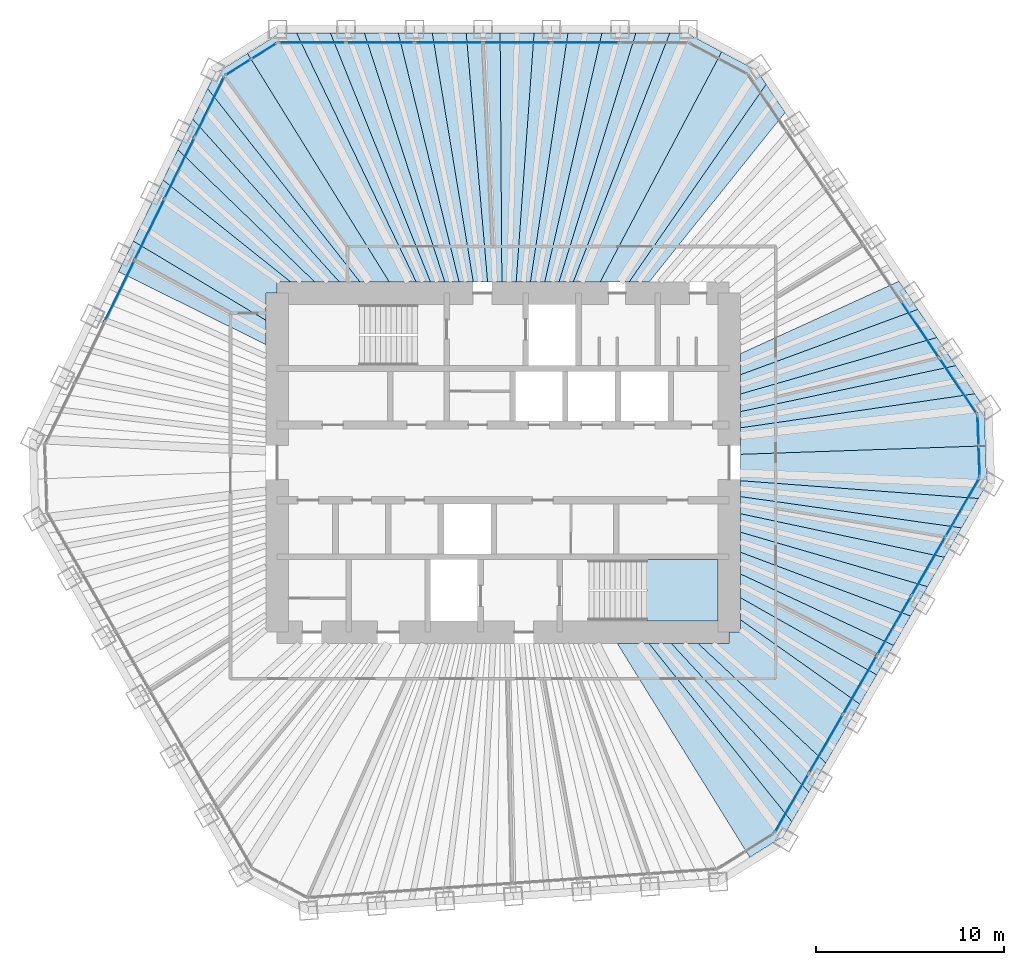
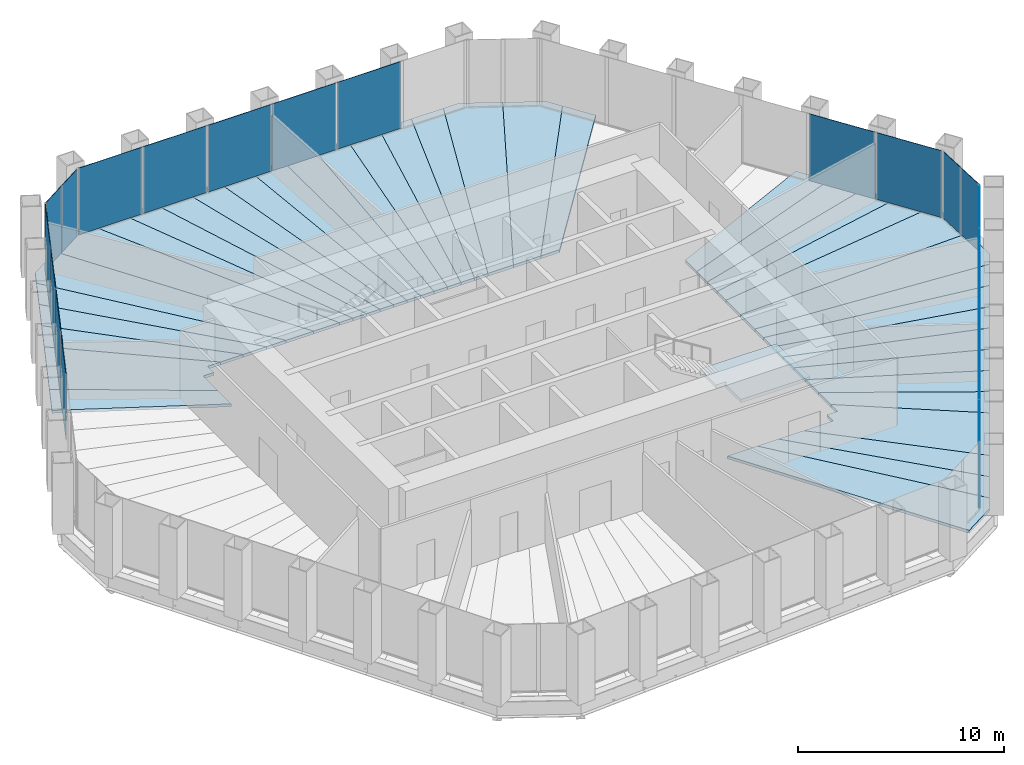
# One storey, part 9 of 13: 39 slabs, 21 plates, 7 elements without a shape of their own.
"""IFC4 building model written with IfcOpenShell, lengths in metres."""

import ifcopenshell
import ifcopenshell.guid

model = None  # the IFC model being written
_history = None  # IfcOwnerHistory: only IFC2X3 demands one
_inside = {}  # id of a spatial element -> (the spatial element, [elements in it])
_under = {}  # id of a project, library or spatial element -> (it, [spatial elements below it])
_declared = {}  # id of a project -> (the project, [libraries it declares])
_typed = {}  # id of a type object -> (the type object, [elements of that type])
_made_of = {}  # id of a material, layer set ... -> (it, [elements and type objects made of it])


def new_model(schema):
    """Start an empty IFC model of exactly this schema.

    Asked for "IFC4X3", IfcOpenShell would pick the latest addendum, in which some entities
    have other attributes; the version numbers below select the first issue.
    IFC2X3 requires an IfcOwnerHistory on every rooted entity: one is made here for all.
    """
    global model, _history
    if schema == "IFC4X3":
        model = ifcopenshell.file(schema_version=(4, 3, 0, 0))
    else:
        model = ifcopenshell.file(schema=schema)
    _inside.clear()
    _under.clear()
    _declared.clear()
    _typed.clear()
    _made_of.clear()
    _history = None
    if model.schema == "IFC2X3":
        org = make("IfcOrganization", Name="unknown")
        user = make(
            "IfcPersonAndOrganization",
            ThePerson=make("IfcPerson", FamilyName="unknown"),
            TheOrganization=org,
        )
        app = make(
            "IfcApplication",
            ApplicationDeveloper=org,
            Version="unknown",
            ApplicationFullName="unknown",
            ApplicationIdentifier="unknown",
        )
        _history = make(
            "IfcOwnerHistory",
            OwningUser=user,
            OwningApplication=app,
            ChangeAction="ADDED",
            CreationDate=0,
        )
    return model


def make(cls, **values):
    """One entity of the class cls with the attributes given. An attribute that is None is left unset."""
    return model.create_entity(
        cls, **{name: value for name, value in values.items() if value is not None}
    )


def rooted(cls, **values):
    """An entity with a GlobalId (a new one), such as an element, a storey or a relation."""
    return make(cls, GlobalId=ifcopenshell.guid.new(), OwnerHistory=_history, **values)


def si_unit(unit_type, name, prefix=None):
    """IfcSIUnit, for example si_unit("LENGTHUNIT", "METRE", prefix="MILLI")."""
    return make("IfcSIUnit", UnitType=unit_type, Prefix=prefix, Name=name)


def assignment(units):
    """IfcUnitAssignment: the units of a project."""
    return None if units is None else make("IfcUnitAssignment", Units=units)


def point(xyz):
    """IfcCartesianPoint."""
    return None if xyz is None else make("IfcCartesianPoint", Coordinates=xyz)


def direction(xyz):
    """IfcDirection."""
    return None if xyz is None else make("IfcDirection", DirectionRatios=xyz)


def frame(location, z_axis=None, x_axis=None):
    """IfcAxis2Placement3D, a coordinate frame: its origin and axes. An axis left out is left unset."""
    return make(
        "IfcAxis2Placement3D",
        Location=point(location),
        Axis=direction(z_axis),
        RefDirection=direction(x_axis),
    )


def frame_2d(location, x_axis=None):
    """IfcAxis2Placement2D, a coordinate frame in the plane: its origin and x axis."""
    return make(
        "IfcAxis2Placement2D", Location=point(location), RefDirection=direction(x_axis)
    )


def origin():
    """The frame at (0, 0, 0) with its axes left unset."""
    return frame((0.0, 0.0, 0.0))


def origin_2d():
    """The frame at (0, 0) in the plane with its x axis left unset."""
    return frame_2d((0.0, 0.0))


def place(relative_to, where):
    """IfcLocalPlacement: puts the frame where relative to a parent placement (None: the world)."""
    return make(
        "IfcLocalPlacement", PlacementRelTo=relative_to, RelativePlacement=where
    )


def context(
    kind, dimensions, precision=None, world=None, true_north=None, identifier=None
):
    """IfcGeometricRepresentationContext, for example the 3D "Model" context."""
    return make(
        "IfcGeometricRepresentationContext",
        ContextIdentifier=identifier,
        ContextType=kind,
        CoordinateSpaceDimension=dimensions,
        Precision=precision,
        WorldCoordinateSystem=world,
        TrueNorth=true_north,
    )


def subcontext(parent, identifier, kind, view, scale=None):
    """IfcGeometricRepresentationSubContext, for example "Body" below "Model"."""
    return make(
        "IfcGeometricRepresentationSubContext",
        ContextIdentifier=identifier,
        ContextType=kind,
        ParentContext=parent,
        TargetScale=scale,
        TargetView=view,
    )


def project(units=None, contexts=None):
    """IfcProject with its units and contexts."""
    return rooted(
        "IfcProject",
        Name="project",
        RepresentationContexts=contexts,
        UnitsInContext=assignment(units),
    )


def spatial(cls, under=None, at=None, **own):
    """A site, building, storey or space (cls), placed at a placement, below another one or the project."""
    s = rooted(cls, ObjectPlacement=at, **own)
    if under is not None:
        _under.setdefault(under.id(), (under, []))[1].append(s)
    return s


def polyline(points):
    """IfcPolyline through the points."""
    return make("IfcPolyline", Points=[point(p) for p in points])


def profile(cls, at=None, kind="AREA", **sizes):
    """A parametric profile (cls). Its sizes go by their IFC names, for example OverallWidth=200.0."""
    return make(cls, ProfileType=kind, Position=at, **sizes)


def rectangle(**sizes):
    """IfcRectangleProfileDef."""
    return profile("IfcRectangleProfileDef", **sizes)


def outline(outer, holes=None, kind="AREA"):
    """IfcArbitraryClosedProfileDef: a profile drawn as a closed curve; with holes, ...WithVoids."""
    if holes is None:
        return make("IfcArbitraryClosedProfileDef", ProfileType=kind, OuterCurve=outer)
    return make(
        "IfcArbitraryProfileDefWithVoids",
        ProfileType=kind,
        OuterCurve=outer,
        InnerCurves=holes,
    )


def extrude(swept, where, along, depth):
    """IfcExtrudedAreaSolid: the profile swept, set in the frame where, extruded along a direction by depth."""
    return make(
        "IfcExtrudedAreaSolid",
        SweptArea=swept,
        Position=where,
        ExtrudedDirection=direction(along),
        Depth=depth,
    )


def shape(context_of_items, identifier, shape_type, items):
    """IfcShapeRepresentation: the items that make up one representation, for example the "Body"."""
    return make(
        "IfcShapeRepresentation",
        ContextOfItems=context_of_items,
        RepresentationIdentifier=identifier,
        RepresentationType=shape_type,
        Items=items,
    )


def material(Name=None, Category=None):
    """IfcMaterial."""
    return make("IfcMaterial", Name=Name, Category=Category)


def layer(
    of_material, thickness, ventilated=None, Name=None, Category=None, Priority=None
):
    """IfcMaterialLayer: one layer of a wall or slab, of a material (None: an air gap)."""
    return make(
        "IfcMaterialLayer",
        Material=of_material,
        LayerThickness=thickness,
        IsVentilated=ventilated,
        Name=Name,
        Category=Category,
        Priority=Priority,
    )


def layer_set(layers, Name=None):
    """IfcMaterialLayerSet."""
    return make("IfcMaterialLayerSet", MaterialLayers=layers, LayerSetName=Name)


def made_of(thing, what):
    """Note that an element or type object is made of a material, layer set ...; save() writes the relation."""
    if what is not None:
        _made_of.setdefault(what.id(), (what, []))[1].append(thing)
    return thing


def type_object(cls, material=None, **own):
    """A type object (cls), such as IfcWallType, which elements share."""
    return made_of(rooted(cls, **own), material)


def element(
    cls,
    number,
    at=None,
    inside=None,
    cuts=None,
    type_object=None,
    material=None,
    context=None,
    identifier="Body",
    shape_type=None,
    held_by="IfcProductDefinitionShape",
    body=None,
    shapes=None,
    **own,
):
    """One element of the class cls, such as IfcWall. Its Tag is "e" and its number.

    at: its placement. inside: the storey or other place that contains it. cuts: it is an
    opening in that element (IfcRelVoidsElement). A single representation is given by context,
    identifier, shape_type and body (its items); several are given by shapes. held_by: the class
    of the entity that holds the representations. save() writes the other relations.
    """
    e = rooted(cls, Tag="e%d" % number, ObjectPlacement=at, **own)
    if body is not None:
        shapes = [shape(context, identifier, shape_type, body)]
    if shapes is not None:
        e.Representation = make(held_by, Representations=shapes)
    if inside is not None:
        _inside.setdefault(inside.id(), (inside, []))[1].append(e)
    if cuts is not None:
        rooted(
            "IfcRelVoidsElement", RelatingBuildingElement=cuts, RelatedOpeningElement=e
        )
    if type_object is not None:
        _typed.setdefault(type_object.id(), (type_object, []))[1].append(e)
    return made_of(e, material)


def aggregate(whole, parts):
    """IfcRelAggregates: a whole, such as a stair, and the parts it consists of."""
    return rooted("IfcRelAggregates", RelatingObject=whole, RelatedObjects=parts)


def save(model, path):
    """Write the relations noted so far, then the file.

    IfcRelAggregates (storeys below a building ...), IfcRelContainedInSpatialStructure (elements
    in a storey), IfcRelDefinesByType, IfcRelAssociatesMaterial and IfcRelDeclares: one each for
    every whole, place, type object, material and project.
    """
    for whole, parts in _under.values():
        aggregate(whole, parts)
    for where, things in _inside.values():
        rooted(
            "IfcRelContainedInSpatialStructure",
            RelatedElements=things,
            RelatingStructure=where,
        )
    for kind, things in _typed.values():
        rooted("IfcRelDefinesByType", RelatedObjects=things, RelatingType=kind)
    for what, things in _made_of.values():
        rooted("IfcRelAssociatesMaterial", RelatedObjects=things, RelatingMaterial=what)
    for by, libraries in _declared.values():
        rooted("IfcRelDeclares", RelatingContext=by, RelatedDefinitions=libraries)
    model.write(path)


model = new_model("IFC4")

# Units and contexts
model_context = context("Model", 3, precision=1e-05, world=origin(), true_north=direction((0.0, 1.0)))
body_context = subcontext(model_context, "Body", "Model", "MODEL_VIEW")
ifc_project = project(units=[si_unit("LENGTHUNIT", "METRE"), si_unit("AREAUNIT", "SQUARE_METRE"), si_unit("VOLUMEUNIT", "CUBIC_METRE"), si_unit("PLANEANGLEUNIT", "RADIAN"), si_unit("MASSUNIT", "GRAM", prefix="KILO")], contexts=[model_context])

# Site, building, storey
site_placement = place(None, origin())
site = spatial("IfcSite", under=ifc_project, at=site_placement, CompositionType="ELEMENT")
building_placement = place(site_placement, origin())
building = spatial("IfcBuilding", under=site, at=building_placement, Name="Qingtian Harvest Tower", CompositionType="ELEMENT")
storey_placement = place(building_placement, frame((0.0, 0.0, 226.60009765625)))
storey = spatial("IfcBuildingStorey", under=building, at=storey_placement, Name="L49", CompositionType="ELEMENT", Elevation=226.60009765625)

# Slabs
ifc_material_1 = material(Name="Concrete fc' 35 MPa", Category="concrete")
ifc_layer_1 = layer(ifc_material_1, 0.169921875)
ifc_layer_set_1 = layer_set([ifc_layer_1], Name="Composite floor slab FS17 170")
slab_type_1 = type_object("IfcSlabType", Name="Composite floor slab FS17 170", PredefinedType="FLOOR", material=ifc_layer_set_1)
slab_1_placement = place(storey_placement, frame((0.0, 0.0, -0.170166015625)))
element("IfcSlab", 1, at=slab_1_placement, inside=storey, type_object=slab_type_1, Name="Floor slab L49 panel D27", PredefinedType="FLOOR", context=body_context, shape_type="SweptSolid", body=[
    extrude(outline(polyline([(6.059326171875, -9.60009765625), (7.740966796875, -9.60009765625), (15.3271484375, -19.0625), (14.886962890625, -19.8251953125), (13.090576171875, -20.94775390625), (6.059326171875, -9.60009765625)])), origin(), (0.0, 0.0, 1.0), 0.170166015625),
])
slab_2_placement = place(storey_placement, frame((0.0, 0.0, -0.170166015625)))
element("IfcSlab", 2, at=slab_2_placement, inside=storey, type_object=slab_type_1, Name="Floor slab L49 panel D28", PredefinedType="FLOOR", context=body_context, shape_type="SweptSolid", body=[
    extrude(outline(polyline([(8.929443359375, -9.60009765625), (16.22802734375, -17.50244140625), (15.3271484375, -19.0625), (7.740966796875, -9.60009765625), (8.929443359375, -9.60009765625)])), origin(), (0.0, 0.0, 1.0), 0.170166015625),
])
slab_3_placement = place(storey_placement, frame((0.0, 0.0, -0.170166015625)))
element("IfcSlab", 3, at=slab_3_placement, inside=storey, type_object=slab_type_1, Name="Floor slab L49 panel D29", PredefinedType="FLOOR", context=body_context, shape_type="SweptSolid", body=[
    extrude(outline(polyline([(10.35205078125, -9.60009765625), (17.128662109375, -15.942138671875), (16.22802734375, -17.50244140625), (8.929443359375, -9.60009765625), (10.35205078125, -9.60009765625)])), origin(), (0.0, 0.0, 1.0), 0.170166015625),
])
slab_4_placement = place(storey_placement, frame((0.0, 0.0, -0.170166015625)))
element("IfcSlab", 4, at=slab_4_placement, inside=storey, type_object=slab_type_1, Name="Floor slab L49 panel D31", PredefinedType="FLOOR", context=body_context, shape_type="SweptSolid", body=[
    extrude(outline(polyline([(12.60009765625, -8.33984375), (18.931884765625, -12.819091796875), (17.128662109375, -15.942138671875), (10.35205078125, -9.60009765625), (12.0, -9.60009765625), (12.0, -9.0), (12.60009765625, -9.0), (12.60009765625, -8.33984375)])), origin(), (0.0, 0.0, 1.0), 0.170166015625),
])
slab_5_placement = place(storey_placement, frame((0.0, 0.0, -0.170166015625)))
element("IfcSlab", 5, at=slab_5_placement, inside=storey, type_object=slab_type_1, Name="Floor slab L49 panel D32", PredefinedType="FLOOR", context=body_context, shape_type="SweptSolid", body=[
    extrude(outline(polyline([(12.60009765625, -7.171142578125), (19.830322265625, -11.262939453125), (18.931884765625, -12.819091796875), (12.60009765625, -8.33984375), (12.60009765625, -7.171142578125)])), origin(), (0.0, 0.0, 1.0), 0.170166015625),
])
slab_6_placement = place(storey_placement, frame((0.0, 0.0, -0.170166015625)))
element("IfcSlab", 6, at=slab_6_placement, inside=storey, type_object=slab_type_1, Name="Floor slab L49 panel D33", PredefinedType="FLOOR", context=body_context, shape_type="SweptSolid", body=[
    extrude(outline(polyline([(12.60009765625, -5.91015625), (20.73095703125, -9.702880859375), (19.830322265625, -11.262939453125), (12.60009765625, -7.171142578125), (12.60009765625, -5.91015625)])), origin(), (0.0, 0.0, 1.0), 0.170166015625),
])
slab_7_placement = place(storey_placement, frame((0.0, 0.0, -0.170166015625)))
element("IfcSlab", 7, at=slab_7_placement, inside=storey, type_object=slab_type_1, Name="Floor slab L49 panel D34", PredefinedType="FLOOR", context=body_context, shape_type="SweptSolid", body=[
    extrude(outline(polyline([(12.60009765625, -4.75439453125), (21.6318359375, -8.142578125), (20.73095703125, -9.702880859375), (12.60009765625, -5.91015625), (12.60009765625, -4.75439453125)])), origin(), (0.0, 0.0, 1.0), 0.170166015625),
])
slab_8_placement = place(storey_placement, frame((0.0, 0.0, -0.170166015625)))
element("IfcSlab", 8, at=slab_8_placement, inside=storey, type_object=slab_type_1, Name="Floor slab L49 panel D35", PredefinedType="FLOOR", context=body_context, shape_type="SweptSolid", body=[
    extrude(outline(polyline([(12.60009765625, -3.691162109375), (22.532470703125, -6.58251953125), (21.6318359375, -8.142578125), (12.60009765625, -4.75439453125), (12.60009765625, -3.691162109375)])), origin(), (0.0, 0.0, 1.0), 0.170166015625),
])
slab_9_placement = place(storey_placement, frame((0.0, 0.0, -0.170166015625)))
element("IfcSlab", 9, at=slab_9_placement, inside=storey, type_object=slab_type_1, Name="Floor slab L49 panel D36", PredefinedType="FLOOR", context=body_context, shape_type="SweptSolid", body=[
    extrude(outline(polyline([(12.60009765625, -2.709716796875), (23.43310546875, -5.022705078125), (22.532470703125, -6.58251953125), (12.60009765625, -3.691162109375), (12.60009765625, -2.709716796875)])), origin(), (0.0, 0.0, 1.0), 0.170166015625),
])
slab_10_placement = place(storey_placement, frame((0.0, 0.0, -0.170166015625)))
element("IfcSlab", 10, at=slab_10_placement, inside=storey, type_object=slab_type_1, Name="Floor slab L49 panel D37", PredefinedType="FLOOR", context=body_context, shape_type="SweptSolid", body=[
    extrude(outline(polyline([(12.60009765625, -1.801025390625), (24.333740234375, -3.462646484375), (23.43310546875, -5.022705078125), (12.60009765625, -2.709716796875), (12.60009765625, -1.801025390625)])), origin(), (0.0, 0.0, 1.0), 0.170166015625),
])
slab_11_placement = place(storey_placement, frame((0.0, 0.0, -0.170166015625)))
element("IfcSlab", 11, at=slab_11_placement, inside=storey, type_object=slab_type_1, Name="Floor slab L49 panel D38", PredefinedType="FLOOR", context=body_context, shape_type="SweptSolid", body=[
    extrude(outline(polyline([(12.60009765625, -0.95703125), (25.234619140625, -1.902587890625), (24.333740234375, -3.462646484375), (12.60009765625, -1.801025390625), (12.60009765625, -0.95703125)])), origin(), (0.0, 0.0, 1.0), 0.170166015625),
])
slab_12_placement = place(storey_placement, frame((0.0, 0.0, -0.170166015625)))
element("IfcSlab", 12, at=slab_12_placement, inside=storey, type_object=slab_type_1, Name="Floor slab L49 panel D39", PredefinedType="FLOOR", context=body_context, shape_type="SweptSolid", body=[
    extrude(outline(polyline([(12.60009765625, -0.95703125), (12.60009765625, 0.442626953125), (25.603759765625, 0.89404296875), (25.6748046875, -1.139892578125), (25.234619140625, -1.902587890625), (12.60009765625, -0.95703125)])), origin(), (0.0, 0.0, 1.0), 0.170166015625),
])
slab_13_placement = place(storey_placement, frame((0.0, 0.0, -0.170166015625)))
element("IfcSlab", 13, at=slab_13_placement, inside=storey, type_object=slab_type_1, Name="Floor slab L49 panel D40", PredefinedType="FLOOR", context=body_context, shape_type="SweptSolid", body=[
    extrude(outline(polyline([(12.60009765625, 0.442626953125), (12.60009765625, 1.848876953125), (25.040283203125, 3.658203125), (25.53271484375, 2.92822265625), (25.603759765625, 0.89404296875), (12.60009765625, 0.442626953125)])), origin(), (0.0, 0.0, 1.0), 0.170166015625),
])
slab_14_placement = place(storey_placement, frame((0.0, 0.0, -0.170166015625)))
element("IfcSlab", 14, at=slab_14_placement, inside=storey, type_object=slab_type_1, Name="Floor slab L49 panel D41", PredefinedType="FLOOR", context=body_context, shape_type="SweptSolid", body=[
    extrude(outline(polyline([(12.60009765625, 2.710205078125), (24.032958984375, 5.151611328125), (25.040283203125, 3.658203125), (12.60009765625, 1.848876953125), (12.60009765625, 2.710205078125)])), origin(), (0.0, 0.0, 1.0), 0.170166015625),
])
slab_15_placement = place(storey_placement, frame((0.0, 0.0, -0.170166015625)))
element("IfcSlab", 15, at=slab_15_placement, inside=storey, type_object=slab_type_1, Name="Floor slab L49 panel D42", PredefinedType="FLOOR", context=body_context, shape_type="SweptSolid", body=[
    extrude(outline(polyline([(12.60009765625, 3.646728515625), (23.025634765625, 6.64501953125), (24.032958984375, 5.151611328125), (12.60009765625, 2.710205078125), (12.60009765625, 3.646728515625)])), origin(), (0.0, 0.0, 1.0), 0.170166015625),
])
slab_16_placement = place(storey_placement, frame((0.0, 0.0, -0.170166015625)))
element("IfcSlab", 16, at=slab_16_placement, inside=storey, type_object=slab_type_1, Name="Floor slab L49 panel D43", PredefinedType="FLOOR", context=body_context, shape_type="SweptSolid", body=[
    extrude(outline(polyline([(12.60009765625, 4.669189453125), (22.018310546875, 8.138427734375), (23.025634765625, 6.64501953125), (12.60009765625, 3.646728515625), (12.60009765625, 4.669189453125)])), origin(), (0.0, 0.0, 1.0), 0.170166015625),
])
slab_17_placement = place(storey_placement, frame((0.0, 0.0, -0.170166015625)))
element("IfcSlab", 17, at=slab_17_placement, inside=storey, type_object=slab_type_1, Name="Floor slab L49 panel D44", PredefinedType="FLOOR", context=body_context, shape_type="SweptSolid", body=[
    extrude(outline(polyline([(12.60009765625, 5.7900390625), (21.010986328125, 9.6318359375), (22.018310546875, 8.138427734375), (12.60009765625, 4.669189453125), (12.60009765625, 5.7900390625)])), origin(), (0.0, 0.0, 1.0), 0.170166015625),
])
slab_18_placement = place(storey_placement, frame((0.0, 0.0, -0.170166015625)))
element("IfcSlab", 18, at=slab_18_placement, inside=storey, type_object=slab_type_1, Name="Floor slab L49 panel D51", PredefinedType="FLOOR", context=body_context, shape_type="SweptSolid", body=[
    extrude(outline(polyline([(6.6904296875, 9.60009765625), (13.960205078125, 20.085205078125), (14.967529296875, 18.591796875), (7.751220703125, 9.60009765625), (6.6904296875, 9.60009765625)])), origin(), (0.0, 0.0, 1.0), 0.170166015625),
])
slab_19_placement = place(storey_placement, frame((0.0, 0.0, -0.170166015625)))
element("IfcSlab", 19, at=slab_19_placement, inside=storey, type_object=slab_type_1, Name="Floor slab L49 panel D52", PredefinedType="FLOOR", context=body_context, shape_type="SweptSolid", body=[
    extrude(outline(polyline([(6.6904296875, 9.60009765625), (5.15185546875, 9.60009765625), (11.59716796875, 21.809814453125), (13.4677734375, 20.8154296875), (13.960205078125, 20.085205078125), (6.6904296875, 9.60009765625)])), origin(), (0.0, 0.0, 1.0), 0.170166015625),
])
slab_20_placement = place(storey_placement, frame((0.0, 0.0, -0.170166015625)))
element("IfcSlab", 20, at=slab_20_placement, inside=storey, type_object=slab_type_1, Name="Floor slab L49 panel D53", PredefinedType="FLOOR", context=body_context, shape_type="SweptSolid", body=[
    extrude(outline(polyline([(3.7236328125, 9.60009765625), (8.84521484375, 22.804931640625), (9.7255859375, 22.804931640625), (11.59716796875, 21.809814453125), (5.15185546875, 9.60009765625), (3.7236328125, 9.60009765625)])), origin(), (0.0, 0.0, 1.0), 0.170166015625),
])
slab_21_placement = place(storey_placement, frame((0.0, 0.0, -0.170166015625)))
element("IfcSlab", 21, at=slab_21_placement, inside=storey, type_object=slab_type_1, Name="Floor slab L49 panel D54", PredefinedType="FLOOR", context=body_context, shape_type="SweptSolid", body=[
    extrude(outline(polyline([(2.96533203125, 9.60009765625), (7.0439453125, 22.804931640625), (8.84521484375, 22.804931640625), (3.7236328125, 9.60009765625), (2.96533203125, 9.60009765625)])), origin(), (0.0, 0.0, 1.0), 0.170166015625),
])
slab_22_placement = place(storey_placement, frame((0.0, 0.0, -0.170166015625)))
element("IfcSlab", 22, at=slab_22_placement, inside=storey, type_object=slab_type_1, Name="Floor slab L49 panel D55", PredefinedType="FLOOR", context=body_context, shape_type="SweptSolid", body=[
    extrude(outline(polyline([(2.206787109375, 9.60009765625), (5.242431640625, 22.804931640625), (7.0439453125, 22.804931640625), (2.96533203125, 9.60009765625), (2.206787109375, 9.60009765625)])), origin(), (0.0, 0.0, 1.0), 0.170166015625),
])
slab_23_placement = place(storey_placement, frame((0.0, 0.0, -0.170166015625)))
element("IfcSlab", 23, at=slab_23_placement, inside=storey, type_object=slab_type_1, Name="Floor slab L49 panel D56", PredefinedType="FLOOR", context=body_context, shape_type="SweptSolid", body=[
    extrude(outline(polyline([(1.448486328125, 9.60009765625), (3.441162109375, 22.804931640625), (5.242431640625, 22.804931640625), (2.206787109375, 9.60009765625), (1.448486328125, 9.60009765625)])), origin(), (0.0, 0.0, 1.0), 0.170166015625),
])
slab_24_placement = place(storey_placement, frame((0.0, 0.0, -0.170166015625)))
element("IfcSlab", 24, at=slab_24_placement, inside=storey, type_object=slab_type_1, Name="Floor slab L49 panel D57", PredefinedType="FLOOR", context=body_context, shape_type="SweptSolid", body=[
    extrude(outline(polyline([(0.690185546875, 9.60009765625), (1.639892578125, 22.804931640625), (3.441162109375, 22.804931640625), (1.448486328125, 9.60009765625), (0.690185546875, 9.60009765625)])), origin(), (0.0, 0.0, 1.0), 0.170166015625),
])
slab_25_placement = place(storey_placement, frame((0.0, 0.0, -0.170166015625)))
element("IfcSlab", 25, at=slab_25_placement, inside=storey, type_object=slab_type_1, Name="Floor slab L49 panel D58", PredefinedType="FLOOR", context=body_context, shape_type="SweptSolid", body=[
    extrude(outline(polyline([(-0.068115234375, 9.60009765625), (-0.16162109375, 22.804931640625), (1.639892578125, 22.804931640625), (0.690185546875, 9.60009765625), (-0.068115234375, 9.60009765625)])), origin(), (0.0, 0.0, 1.0), 0.170166015625),
])
slab_26_placement = place(storey_placement, frame((0.0, 0.0, -0.170166015625)))
element("IfcSlab", 26, at=slab_26_placement, inside=storey, type_object=slab_type_1, Name="Floor slab L49 panel D59", PredefinedType="FLOOR", context=body_context, shape_type="SweptSolid", body=[
    extrude(outline(polyline([(-0.826416015625, 9.60009765625), (-1.962890625, 22.804931640625), (-0.16162109375, 22.804931640625), (-0.068115234375, 9.60009765625), (-0.826416015625, 9.60009765625)])), origin(), (0.0, 0.0, 1.0), 0.170166015625),
])
slab_27_placement = place(storey_placement, frame((0.0, 0.0, -0.170166015625)))
element("IfcSlab", 27, at=slab_27_placement, inside=storey, type_object=slab_type_1, Name="Floor slab L49 panel D60", PredefinedType="FLOOR", context=body_context, shape_type="SweptSolid", body=[
    extrude(outline(polyline([(-1.584716796875, 9.60009765625), (-3.764404296875, 22.804931640625), (-1.962890625, 22.804931640625), (-0.826416015625, 9.60009765625), (-1.584716796875, 9.60009765625)])), origin(), (0.0, 0.0, 1.0), 0.170166015625),
])
slab_28_placement = place(storey_placement, frame((0.0, 0.0, -0.170166015625)))
element("IfcSlab", 28, at=slab_28_placement, inside=storey, type_object=slab_type_1, Name="Floor slab L49 panel D61", PredefinedType="FLOOR", context=body_context, shape_type="SweptSolid", body=[
    extrude(outline(polyline([(-2.343017578125, 9.60009765625), (-5.565673828125, 22.804931640625), (-3.764404296875, 22.804931640625), (-1.584716796875, 9.60009765625), (-2.343017578125, 9.60009765625)])), origin(), (0.0, 0.0, 1.0), 0.170166015625),
])
slab_29_placement = place(storey_placement, frame((0.0, 0.0, -0.170166015625)))
element("IfcSlab", 29, at=slab_29_placement, inside=storey, type_object=slab_type_1, Name="Floor slab L49 panel D62", PredefinedType="FLOOR", context=body_context, shape_type="SweptSolid", body=[
    extrude(outline(polyline([(-3.101318359375, 9.60009765625), (-7.366943359375, 22.804931640625), (-5.565673828125, 22.804931640625), (-2.343017578125, 9.60009765625), (-3.101318359375, 9.60009765625)])), origin(), (0.0, 0.0, 1.0), 0.170166015625),
])
slab_30_placement = place(storey_placement, frame((0.0, 0.0, -0.170166015625)))
element("IfcSlab", 30, at=slab_30_placement, inside=storey, type_object=slab_type_1, Name="Floor slab L49 panel D63", PredefinedType="FLOOR", context=body_context, shape_type="SweptSolid", body=[
    extrude(outline(polyline([(-3.859619140625, 9.60009765625), (-9.16845703125, 22.804931640625), (-7.366943359375, 22.804931640625), (-3.101318359375, 9.60009765625), (-3.859619140625, 9.60009765625)])), origin(), (0.0, 0.0, 1.0), 0.170166015625),
])
slab_31_placement = place(storey_placement, frame((0.0, 0.0, -0.170166015625)))
element("IfcSlab", 31, at=slab_31_placement, inside=storey, type_object=slab_type_1, Name="Floor slab L49 panel D64", PredefinedType="FLOOR", context=body_context, shape_type="SweptSolid", body=[
    extrude(outline(polyline([(-4.617919921875, 9.60009765625), (-10.9697265625, 22.804931640625), (-9.16845703125, 22.804931640625), (-3.859619140625, 9.60009765625), (-4.617919921875, 9.60009765625)])), origin(), (0.0, 0.0, 1.0), 0.170166015625),
])
slab_32_placement = place(storey_placement, frame((0.0, 0.0, -0.170166015625)))
element("IfcSlab", 32, at=slab_32_placement, inside=storey, type_object=slab_type_1, Name="Floor slab L49 panel D65", PredefinedType="FLOOR", context=body_context, shape_type="SweptSolid", body=[
    extrude(outline(polyline([(-4.617919921875, 9.60009765625), (-6.050537109375, 9.60009765625), (-13.57666015625, 21.72607421875), (-11.85009765625, 22.804931640625), (-10.9697265625, 22.804931640625), (-4.617919921875, 9.60009765625)])), origin(), (0.0, 0.0, 1.0), 0.170166015625),
])
slab_33_placement = place(storey_placement, frame((0.0, 0.0, -0.170166015625)))
element("IfcSlab", 33, at=slab_33_placement, inside=storey, type_object=slab_type_1, Name="Floor slab L49 panel D66", PredefinedType="FLOOR", context=body_context, shape_type="SweptSolid", body=[
    extrude(outline(polyline([(-6.050537109375, 9.60009765625), (-7.60498046875, 9.60009765625), (-15.688232421875, 19.8564453125), (-15.30224609375, 20.64794921875), (-13.57666015625, 21.72607421875), (-6.050537109375, 9.60009765625)])), origin(), (0.0, 0.0, 1.0), 0.170166015625),
])
slab_34_placement = place(storey_placement, frame((0.0, 0.0, -0.170166015625)))
element("IfcSlab", 34, at=slab_34_placement, inside=storey, type_object=slab_type_1, Name="Floor slab L49 panel D67", PredefinedType="FLOOR", context=body_context, shape_type="SweptSolid", body=[
    extrude(outline(polyline([(-8.699951171875, 9.60009765625), (-16.47802734375, 18.2373046875), (-15.688232421875, 19.8564453125), (-7.60498046875, 9.60009765625), (-8.699951171875, 9.60009765625)])), origin(), (0.0, 0.0, 1.0), 0.170166015625),
])
slab_35_placement = place(storey_placement, frame((0.0, 0.0, -0.170166015625)))
element("IfcSlab", 35, at=slab_35_placement, inside=storey, type_object=slab_type_1, Name="Floor slab L49 panel D68", PredefinedType="FLOOR", context=body_context, shape_type="SweptSolid", body=[
    extrude(outline(polyline([(-10.009765625, 9.60009765625), (-17.267822265625, 16.6181640625), (-16.47802734375, 18.2373046875), (-8.699951171875, 9.60009765625), (-10.009765625, 9.60009765625)])), origin(), (0.0, 0.0, 1.0), 0.170166015625),
])
slab_36_placement = place(storey_placement, frame((0.0, 0.0, -0.170166015625)))
element("IfcSlab", 36, at=slab_36_placement, inside=storey, type_object=slab_type_1, Name="Floor slab L49 panel D69", PredefinedType="FLOOR", context=body_context, shape_type="SweptSolid", body=[
    extrude(outline(polyline([(-11.28759765625, 9.60009765625), (-18.055419921875, 15.003173828125), (-17.267822265625, 16.6181640625), (-10.009765625, 9.60009765625), (-11.28759765625, 9.60009765625)])), origin(), (0.0, 0.0, 1.0), 0.170166015625),
])
slab_37_placement = place(storey_placement, frame((0.0, 0.0, -0.170166015625)))
element("IfcSlab", 37, at=slab_37_placement, inside=storey, type_object=slab_type_1, Name="Floor slab L49 panel D70", PredefinedType="FLOOR", context=body_context, shape_type="SweptSolid", body=[
    extrude(outline(polyline([(-12.0, 9.0), (-12.60009765625, 9.0), (-12.60009765625, 7.560302734375), (-19.636474609375, 11.761474609375), (-18.055419921875, 15.003173828125), (-11.28759765625, 9.60009765625), (-12.0, 9.60009765625), (-12.0, 9.0)])), origin(), (0.0, 0.0, 1.0), 0.170166015625),
])
slab_38_placement = place(storey_placement, frame((0.0, 0.0, -0.170166015625)))
element("IfcSlab", 38, at=slab_38_placement, inside=storey, type_object=slab_type_1, Name="Floor slab L49 panel D72", PredefinedType="FLOOR", context=body_context, shape_type="SweptSolid", body=[
    extrude(outline(polyline([(-12.60009765625, 6.268310546875), (-20.426025390625, 10.142578125), (-19.636474609375, 11.761474609375), (-12.60009765625, 7.560302734375), (-12.60009765625, 6.268310546875)])), origin(), (0.0, 0.0, 1.0), 0.170166015625),
])

# Curtain wall, plates
ifc_material_2 = material(Name="Bronze-anodised aluminium curtain wall", Category="aluminium")
curtain_wall_type = type_object("IfcCurtainWallType", Name="Curtain wall CW4 office", PredefinedType="USERDEFINED", material=ifc_material_2)
curtain_wall_1_placement = place(storey_placement, origin())
curtain_wall_1 = element("IfcCurtainWall", 39, at=curtain_wall_1_placement, inside=storey, type_object=curtain_wall_type, Name="Curtain wall CW4 L49 N0-5", ObjectType="RECESSED CURTAIN WALL", PredefinedType="USERDEFINED")
ifc_material_3 = material(Name="Bronze-tinted laminated insulating glass", Category="glass")
ifc_layer_2 = layer(ifc_material_3, 0.030029296875)
ifc_layer_set_2 = layer_set([ifc_layer_2], Name="Glazed panel CWP tinted IGU")
plate_type = type_object("IfcPlateType", Name="Glazed panel CWP tinted IGU", PredefinedType="CURTAIN_PANEL", material=ifc_layer_set_2)
plate_1_placement = place(storey_placement, frame((-10.138916015625, 22.300048828125, 0.06494140625), z_axis=(0.0, 0.0, 1.0), x_axis=(1.0, 0.0, 0.0)))
plate_1 = element("IfcPlate", 40, at=plate_1_placement, type_object=plate_type, Name="CW4 panel 1.1", PredefinedType="CURTAIN_PANEL", context=body_context, shape_type="SweptSolid", body=[
    extrude(rectangle(XDim=3.5361328125, YDim=0.030029296875, at=origin_2d()), origin(), (0.0, 0.0, 1.0), 3.965087890625),
])
plate_2_placement = place(storey_placement, frame((-6.521728515625, 22.300048828125, 0.06494140625), z_axis=(0.0, 0.0, 1.0), x_axis=(1.0, 0.0, 0.0)))
plate_2 = element("IfcPlate", 41, at=plate_2_placement, type_object=plate_type, Name="CW4 panel 2.1", PredefinedType="CURTAIN_PANEL", context=body_context, shape_type="SweptSolid", body=[
    extrude(rectangle(XDim=3.568603515625, YDim=0.030029296875, at=origin_2d()), origin(), (0.0, 0.0, 1.0), 3.965087890625),
])
plate_3_placement = place(storey_placement, frame((-2.88818359375, 22.300048828125, 0.06494140625), z_axis=(0.0, 0.0, 1.0), x_axis=(1.0, 0.0, 0.0)))
plate_3 = element("IfcPlate", 42, at=plate_3_placement, type_object=plate_type, Name="CW4 panel 3.1", PredefinedType="CURTAIN_PANEL", context=body_context, shape_type="SweptSolid", body=[
    extrude(rectangle(XDim=3.568603515625, YDim=0.030029296875, at=origin_2d()), origin(), (0.0, 0.0, 1.0), 3.965087890625),
])
plate_4_placement = place(storey_placement, frame((0.745361328125, 22.300048828125, 0.06494140625), z_axis=(0.0, 0.0, 1.0), x_axis=(1.0, 0.0, 0.0)))
plate_4 = element("IfcPlate", 43, at=plate_4_placement, type_object=plate_type, Name="CW4 panel 4.1", PredefinedType="CURTAIN_PANEL", context=body_context, shape_type="SweptSolid", body=[
    extrude(rectangle(XDim=3.568603515625, YDim=0.030029296875, at=origin_2d()), origin(), (0.0, 0.0, 1.0), 3.965087890625),
])
plate_5_placement = place(storey_placement, frame((4.37890625, 22.300048828125, 0.06494140625), z_axis=(0.0, 0.0, 1.0), x_axis=(1.0, 0.0, 0.0)))
plate_5 = element("IfcPlate", 44, at=plate_5_placement, type_object=plate_type, Name="CW4 panel 5.1", PredefinedType="CURTAIN_PANEL", context=body_context, shape_type="SweptSolid", body=[
    extrude(rectangle(XDim=3.568603515625, YDim=0.030029296875, at=origin_2d()), origin(), (0.0, 0.0, 1.0), 3.965087890625),
])
aggregate(curtain_wall_1, [plate_1, plate_2, plate_3, plate_4, plate_5])

curtain_wall_2_placement = place(storey_placement, origin())
curtain_wall_2 = element("IfcCurtainWall", 45, at=curtain_wall_2_placement, inside=storey, type_object=curtain_wall_type, Name="Curtain wall CW4 L49 NE0-5", ObjectType="RECESSED CURTAIN WALL", PredefinedType="USERDEFINED")
plate_6_placement = place(storey_placement, frame((22.134521484375, 7.063232421875, 0.06494140625), z_axis=(0.0, 0.0, 1.0), x_axis=(0.559192903471, -0.829037572555, 0.0)))
plate_6 = element("IfcPlate", 46, at=plate_6_placement, type_object=plate_type, Name="CW4 panel 5.1", PredefinedType="CURTAIN_PANEL", context=body_context, shape_type="SweptSolid", body=[
    extrude(rectangle(XDim=3.568603515625, YDim=0.030029296875, at=origin_2d()), origin(), (0.0, 0.0, 1.0), 3.965087890625),
])
plate_7_placement = place(storey_placement, frame((24.1572265625, 4.064453125, 0.06494140625), z_axis=(0.0, 0.0, 1.0), x_axis=(0.559192903471, -0.829037572555, 0.0)))
plate_7 = element("IfcPlate", 47, at=plate_7_placement, type_object=plate_type, Name="CW4 panel 6.1", PredefinedType="CURTAIN_PANEL", context=body_context, shape_type="SweptSolid", body=[
    extrude(rectangle(XDim=3.5361328125, YDim=0.030029296875, at=origin_2d()), origin(), (0.0, 0.0, 1.0), 3.965087890625),
])
aggregate(curtain_wall_2, [plate_6, plate_7])

curtain_wall_3_placement = place(storey_placement, origin())
curtain_wall_3 = element("IfcCurtainWall", 48, at=curtain_wall_3_placement, inside=storey, type_object=curtain_wall_type, Name="Curtain wall CW4 L49 NEC", ObjectType="RECESSED CURTAIN WALL", PredefinedType="USERDEFINED")
plate_8_placement = place(storey_placement, frame((25.2119140625, 1.69677734375, 0.06494140625), z_axis=(0.0, 0.0, 1.0), x_axis=(0.034899496703, -0.999390827019, 0.0)))
plate_8 = element("IfcPlate", 49, at=plate_8_placement, type_object=plate_type, Name="CW4 panel 1.1", PredefinedType="CURTAIN_PANEL", context=body_context, shape_type="SweptSolid", body=[
    extrude(rectangle(XDim=1.56689453125, YDim=0.030029296875, at=origin_2d()), origin(), (0.0, 0.0, 1.0), 3.965087890625),
])
plate_9_placement = place(storey_placement, frame((25.268798828125, 0.06591796875, 0.06494140625), z_axis=(0.0, 0.0, 1.0), x_axis=(0.034899496703, -0.999390827019, 0.0)))
plate_9 = element("IfcPlate", 50, at=plate_9_placement, type_object=plate_type, Name="CW4 panel 2.1", PredefinedType="CURTAIN_PANEL", context=body_context, shape_type="SweptSolid", body=[
    extrude(rectangle(XDim=1.56689453125, YDim=0.030029296875, at=origin_2d()), origin(), (0.0, 0.0, 1.0), 3.965087890625),
])
aggregate(curtain_wall_3, [plate_8, plate_9])

curtain_wall_4_placement = place(storey_placement, origin())
curtain_wall_4 = element("IfcCurtainWall", 51, at=curtain_wall_4_placement, inside=storey, type_object=curtain_wall_type, Name="Curtain wall CW4 L49 SE0-5", ObjectType="RECESSED CURTAIN WALL", PredefinedType="USERDEFINED")
plate_10_placement = place(storey_placement, frame((24.3818359375, -2.369384765625, 0.06494140625), z_axis=(0.0, 0.0, 1.0), x_axis=(-0.5, -0.866025403784, 0.0)))
plate_10 = element("IfcPlate", 52, at=plate_10_placement, type_object=plate_type, Name="CW4 panel 1.1", PredefinedType="CURTAIN_PANEL", context=body_context, shape_type="SweptSolid", body=[
    extrude(rectangle(XDim=3.5361328125, YDim=0.030029296875, at=origin_2d()), origin(), (0.0, 0.0, 1.0), 3.965087890625),
])
plate_11_placement = place(storey_placement, frame((22.5732421875, -5.501953125, 0.06494140625), z_axis=(0.0, 0.0, 1.0), x_axis=(-0.5, -0.866025403784, 0.0)))
plate_11 = element("IfcPlate", 53, at=plate_11_placement, type_object=plate_type, Name="CW4 panel 2.1", PredefinedType="CURTAIN_PANEL", context=body_context, shape_type="SweptSolid", body=[
    extrude(rectangle(XDim=3.568603515625, YDim=0.030029296875, at=origin_2d()), origin(), (0.0, 0.0, 1.0), 3.965087890625),
])
plate_12_placement = place(storey_placement, frame((20.75634765625, -8.64892578125, 0.06494140625), z_axis=(0.0, 0.0, 1.0), x_axis=(-0.5, -0.866025403784, 0.0)))
plate_12 = element("IfcPlate", 54, at=plate_12_placement, type_object=plate_type, Name="CW4 panel 3.1", PredefinedType="CURTAIN_PANEL", context=body_context, shape_type="SweptSolid", body=[
    extrude(rectangle(XDim=3.568603515625, YDim=0.030029296875, at=origin_2d()), origin(), (0.0, 0.0, 1.0), 3.965087890625),
])
plate_13_placement = place(storey_placement, frame((18.939697265625, -11.795654296875, 0.06494140625), z_axis=(0.0, 0.0, 1.0), x_axis=(-0.5, -0.866025403784, 0.0)))
plate_13 = element("IfcPlate", 55, at=plate_13_placement, type_object=plate_type, Name="CW4 panel 4.1", PredefinedType="CURTAIN_PANEL", context=body_context, shape_type="SweptSolid", body=[
    extrude(rectangle(XDim=3.568603515625, YDim=0.030029296875, at=origin_2d()), origin(), (0.0, 0.0, 1.0), 3.965087890625),
])
plate_14_placement = place(storey_placement, frame((17.122802734375, -14.9423828125, 0.06494140625), z_axis=(0.0, 0.0, 1.0), x_axis=(-0.5, -0.866025403784, 0.0)))
plate_14 = element("IfcPlate", 56, at=plate_14_placement, type_object=plate_type, Name="CW4 panel 5.1", PredefinedType="CURTAIN_PANEL", context=body_context, shape_type="SweptSolid", body=[
    extrude(rectangle(XDim=3.568603515625, YDim=0.030029296875, at=origin_2d()), origin(), (0.0, 0.0, 1.0), 3.965087890625),
])
plate_15_placement = place(storey_placement, frame((15.314208984375, -18.074951171875, 0.06494140625), z_axis=(0.0, 0.0, 1.0), x_axis=(-0.5, -0.866025403784, 0.0)))
plate_15 = element("IfcPlate", 57, at=plate_15_placement, type_object=plate_type, Name="CW4 panel 6.1", PredefinedType="CURTAIN_PANEL", context=body_context, shape_type="SweptSolid", body=[
    extrude(rectangle(XDim=3.5361328125, YDim=0.030029296875, at=origin_2d()), origin(), (0.0, 0.0, 1.0), 3.965087890625),
])
aggregate(curtain_wall_4, [plate_10, plate_11, plate_12, plate_13, plate_14, plate_15])

curtain_wall_5_placement = place(storey_placement, origin())
curtain_wall_5 = element("IfcCurtainWall", 58, at=curtain_wall_5_placement, inside=storey, type_object=curtain_wall_type, Name="Curtain wall CW4 L49 NW0-5", ObjectType="RECESSED CURTAIN WALL", PredefinedType="USERDEFINED")
plate_16_placement = place(storey_placement, frame((-20.369873046875, 9.105712890625, 0.06494140625), z_axis=(0.0, 0.0, 1.0), x_axis=(0.438371146789, 0.898794046299, 0.0)))
plate_16 = element("IfcPlate", 59, at=plate_16_placement, type_object=plate_type, Name="CW4 panel 3.1", PredefinedType="CURTAIN_PANEL", context=body_context, shape_type="SweptSolid", body=[
    extrude(rectangle(XDim=3.568603515625, YDim=0.030029296875, at=origin_2d()), origin(), (0.0, 0.0, 1.0), 3.965087890625),
])
plate_17_placement = place(storey_placement, frame((-18.777099609375, 12.37158203125, 0.06494140625), z_axis=(0.0, 0.0, 1.0), x_axis=(0.438371146789, 0.898794046299, 0.0)))
plate_17 = element("IfcPlate", 60, at=plate_17_placement, type_object=plate_type, Name="CW4 panel 4.1", PredefinedType="CURTAIN_PANEL", context=body_context, shape_type="SweptSolid", body=[
    extrude(rectangle(XDim=3.568603515625, YDim=0.030029296875, at=origin_2d()), origin(), (0.0, 0.0, 1.0), 3.965087890625),
])
plate_18_placement = place(storey_placement, frame((-17.18408203125, 15.63720703125, 0.06494140625), z_axis=(0.0, 0.0, 1.0), x_axis=(0.438371146789, 0.898794046299, 0.0)))
plate_18 = element("IfcPlate", 61, at=plate_18_placement, type_object=plate_type, Name="CW4 panel 5.1", PredefinedType="CURTAIN_PANEL", context=body_context, shape_type="SweptSolid", body=[
    extrude(rectangle(XDim=3.568603515625, YDim=0.030029296875, at=origin_2d()), origin(), (0.0, 0.0, 1.0), 3.965087890625),
])
plate_19_placement = place(storey_placement, frame((-15.598388671875, 18.888427734375, 0.06494140625), z_axis=(0.0, 0.0, 1.0), x_axis=(0.438371146789, 0.898794046299, 0.0)))
plate_19 = element("IfcPlate", 62, at=plate_19_placement, type_object=plate_type, Name="CW4 panel 6.1", PredefinedType="CURTAIN_PANEL", context=body_context, shape_type="SweptSolid", body=[
    extrude(rectangle(XDim=3.5361328125, YDim=0.030029296875, at=origin_2d()), origin(), (0.0, 0.0, 1.0), 3.965087890625),
])
aggregate(curtain_wall_5, [plate_16, plate_17, plate_18, plate_19])

curtain_wall_6_placement = place(storey_placement, origin())
curtain_wall_6 = element("IfcCurtainWall", 63, at=curtain_wall_6_placement, inside=storey, type_object=curtain_wall_type, Name="Curtain wall CW4 L49 NWC", ObjectType="RECESSED CURTAIN WALL", PredefinedType="USERDEFINED")
plate_20_placement = place(storey_placement, frame((-14.075439453125, 20.985595703125, 0.06494140625), z_axis=(0.0, 0.0, 1.0), x_axis=(0.848048096156, 0.529919264233, 0.0)))
plate_20 = element("IfcPlate", 64, at=plate_20_placement, type_object=plate_type, Name="CW4 panel 1.1", PredefinedType="CURTAIN_PANEL", context=body_context, shape_type="SweptSolid", body=[
    extrude(rectangle(XDim=1.56689453125, YDim=0.030029296875, at=origin_2d()), origin(), (0.0, 0.0, 1.0), 3.965087890625),
])
plate_21_placement = place(storey_placement, frame((-12.69140625, 21.850341796875, 0.06494140625), z_axis=(0.0, 0.0, 1.0), x_axis=(0.848048096156, 0.529919264233, 0.0)))
plate_21 = element("IfcPlate", 65, at=plate_21_placement, type_object=plate_type, Name="CW4 panel 2.1", PredefinedType="CURTAIN_PANEL", context=body_context, shape_type="SweptSolid", body=[
    extrude(rectangle(XDim=1.56689453125, YDim=0.030029296875, at=origin_2d()), origin(), (0.0, 0.0, 1.0), 3.965087890625),
])
aggregate(curtain_wall_6, [plate_20, plate_21])

# Stair, slab
ifc_material_4 = material(Name="Concrete fc' 35 MPa", Category="concrete")
stair_type = type_object("IfcStairType", Name="Special stair ST4 4200", PredefinedType="HALF_TURN_STAIR", material=ifc_material_4)
stair_placement = place(storey_placement, origin())
stair = element("IfcStair", 66, at=stair_placement, inside=storey, type_object=stair_type, Name="Special stair S2 L49", PredefinedType="HALF_TURN_STAIR")
ifc_material_5 = material(Name="Concrete fc' 35 MPa", Category="concrete")
ifc_layer_3 = layer(ifc_material_5, 0.199951171875)
ifc_layer_set_3 = layer_set([ifc_layer_3], Name="Stair landing SL2 200")
slab_type_2 = type_object("IfcSlabType", Name="Stair landing SL2 200", PredefinedType="LANDING", material=ifc_layer_set_3)
slab_39_placement = place(storey_placement, frame((0.0, 0.0, 1.89990234375)))
slab_39 = element("IfcSlab", 67, at=slab_39_placement, type_object=slab_type_2, Name="S2 landing 2", PredefinedType="LANDING", context=body_context, shape_type="SweptSolid", body=[
    extrude(outline(polyline([(7.530029296875, -8.39990234375), (7.530029296875, -6.824951171875), (7.6298828125, -6.824951171875), (7.6298828125, -6.72509765625), (7.094970703125, -6.72509765625), (7.094970703125, -5.14990234375), (11.39990234375, -5.14990234375), (11.39990234375, -8.39990234375), (7.530029296875, -8.39990234375)])), origin(), (0.0, 0.0, 1.0), 0.199951171875),
])
aggregate(stair, [slab_39])

save(model, "model.ifc")
